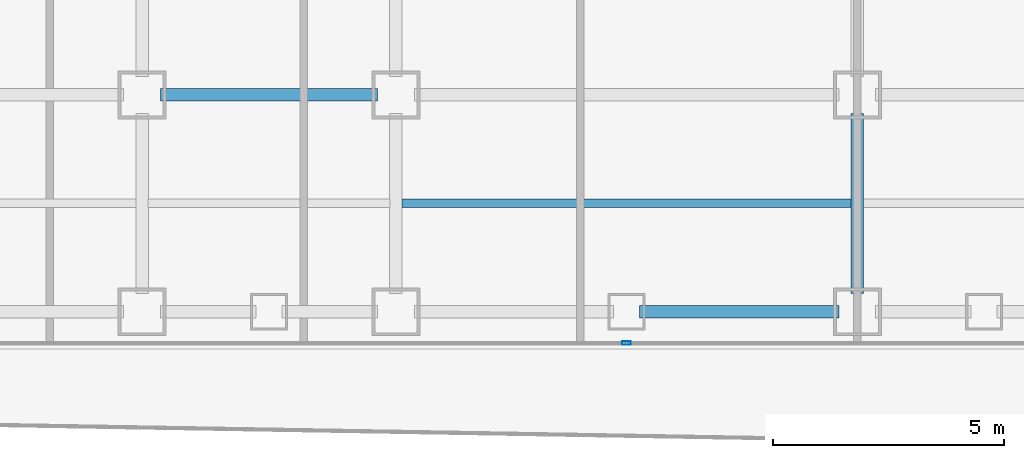
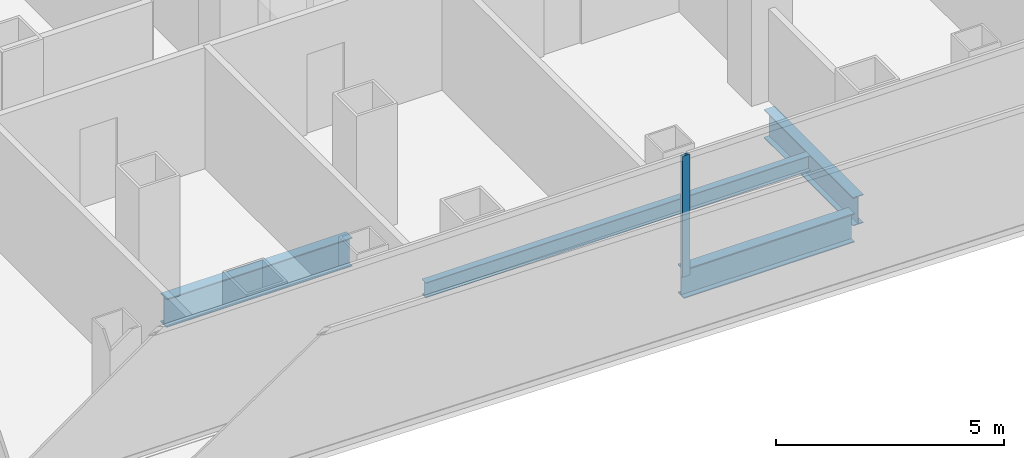
# One storey, part 4 of 22: 4 beams, 1 member, 1 element without a shape of its own.
"""IFC4 building model written with IfcOpenShell, lengths in metres."""

from ifc_helpers import new_model, si_unit, direction, frame, origin, origin_2d, place, context, subcontext, project, spatial, hollow_rectangle, i_section, extrude, source, transform, mapped, material, layer, layer_set, material_profile, profile_set, type_object, element, aggregate, save


model = new_model("IFC4")

# Units and contexts
model_context = context("Model", 3, precision=1e-05, world=origin(), true_north=direction((0.0, 1.0)))
body_context = subcontext(model_context, "Body", "Model", "MODEL_VIEW")
ifc_project = project(units=[si_unit("LENGTHUNIT", "METRE"), si_unit("AREAUNIT", "SQUARE_METRE"), si_unit("VOLUMEUNIT", "CUBIC_METRE"), si_unit("PLANEANGLEUNIT", "RADIAN"), si_unit("MASSUNIT", "GRAM", prefix="KILO")], contexts=[model_context])

# Site, building, storey
site_placement = place(None, origin())
site = spatial("IfcSite", under=ifc_project, at=site_placement, CompositionType="ELEMENT")
building_placement = place(site_placement, origin())
building = spatial("IfcBuilding", under=site, at=building_placement, Name="Kolveth Station Tower", CompositionType="ELEMENT")
storey_placement = place(building_placement, frame((0.0, 0.0, 72.89990234375)))
storey = spatial("IfcBuildingStorey", under=building, at=storey_placement, Name="L19", CompositionType="ELEMENT", Elevation=72.89990234375)

# Beams
ifc_material_1 = material(Name="Steel S355", Category="steel")
ifc_material_profile_1 = material_profile(ifc_material_1, i_section(OverallWidth=0.26904296875, OverallDepth=0.77490234375, WebThickness=0.01708984375, FlangeThickness=0.0283203125, at=origin_2d()), Name="W760x220")
ifc_profile_set_1 = profile_set([ifc_material_profile_1], Name="Steel S355")
beam_type_1 = type_object("IfcBeamType", Name="Beam_SP1", PredefinedType="SPANDREL", material=ifc_profile_set_1)
shared_shape_1 = source(origin(), body_context, "Body", "SweptSolid", [
    extrude(i_section(OverallWidth=0.26904296875, OverallDepth=0.77490234375, WebThickness=0.01708984375, FlangeThickness=0.0283203125, at=origin_2d()), origin(), (0.0, 0.0, 1.0), 4.320068359375),
])
beam_1_placement = place(storey_placement, frame((23.780029296875, 0.800048828125, -0.66748046875), z_axis=(1.0, 0.0, 0.0), x_axis=(0.0, 1.0, 0.0)))
element("IfcBeam", 1, at=beam_1_placement, inside=storey, type_object=beam_type_1, Name="L19 Perimeter Spandrel BM-L19-PS-6", PredefinedType="SPANDREL", context=body_context, shape_type="MappedRepresentation", body=[
    mapped(shared_shape_1, transform((0.0, 0.0, 0.0), x_axis=(1.0, 0.0, 0.0), y_axis=(0.0, 1.0, 0.0), z_axis=(0.0, 0.0, 1.0), scale=1.0)),
])
ifc_material_profile_2 = material_profile(ifc_material_1, i_section(OverallWidth=0.26708984375, OverallDepth=0.76611328125, WebThickness=0.014892578125, FlangeThickness=0.023681640625, at=origin_2d()), Name="W760x185")
ifc_profile_set_2 = profile_set([ifc_material_profile_2], Name="Steel S355")
beam_type_2 = type_object("IfcBeamType", Name="Beam_B3", PredefinedType="BEAM", material=ifc_profile_set_2)
shared_shape_2 = source(origin(), body_context, "Body", "SweptSolid", [
    extrude(i_section(OverallWidth=0.26708984375, OverallDepth=0.76611328125, WebThickness=0.014892578125, FlangeThickness=0.023681640625, at=origin_2d()), origin(), (0.0, 0.0, 1.0), 4.7001953125),
])
beam_2_placement = place(storey_placement, frame((13.39990234375, 5.5, -0.662841796875), z_axis=(1.0, 0.0, 0.0), x_axis=(0.0, 1.0, 0.0)))
element("IfcBeam", 2, at=beam_2_placement, inside=storey, type_object=beam_type_2, Name="L19 Primary Girder BM-L19-GY55-3", PredefinedType="BEAM", context=body_context, shape_type="MappedRepresentation", body=[
    mapped(shared_shape_2, transform((0.0, 0.0, 0.0), x_axis=(1.0, 0.0, 0.0), y_axis=(0.0, 1.0, 0.0), z_axis=(0.0, 0.0, 1.0), scale=1.0)),
])
shared_shape_3 = source(origin(), body_context, "Body", "SweptSolid", [
    extrude(i_section(OverallWidth=0.26708984375, OverallDepth=0.76611328125, WebThickness=0.014892578125, FlangeThickness=0.023681640625, at=origin_2d()), origin(), (0.0, 0.0, 1.0), 3.900146484375),
])
beam_3_placement = place(storey_placement, frame((28.5, 1.199951171875, -0.662841796875), z_axis=(0.0, 1.0, 0.0), x_axis=(-1.0, 0.0, 0.0)))
element("IfcBeam", 3, at=beam_3_placement, inside=storey, type_object=beam_type_2, Name="L19 Primary Girder BM-L19-GX285-1", PredefinedType="BEAM", context=body_context, shape_type="MappedRepresentation", body=[
    mapped(shared_shape_3, transform((0.0, 0.0, 0.0), x_axis=(1.0, 0.0, 0.0), y_axis=(0.0, 1.0, 0.0), z_axis=(0.0, 0.0, 1.0), scale=1.0)),
])
ifc_material_profile_3 = material_profile(ifc_material_1, i_section(OverallWidth=0.177978515625, OverallDepth=0.406982421875, WebThickness=0.0078125, FlangeThickness=0.0126953125, at=origin_2d()), Name="W410x60")
ifc_profile_set_3 = profile_set([ifc_material_profile_3], Name="Steel S355")
beam_type_3 = type_object("IfcBeamType", Name="Beam_J1", PredefinedType="JOIST", material=ifc_profile_set_3)
shared_shape_4 = source(origin(), body_context, "Body", "SweptSolid", [
    extrude(i_section(OverallWidth=0.177978515625, OverallDepth=0.406982421875, WebThickness=0.0078125, FlangeThickness=0.0126953125, at=origin_2d()), origin(), (0.0, 0.0, 1.0), 9.73681640625),
])
beam_4_placement = place(storey_placement, frame((18.631591796875, 3.14990234375, -0.4833984375), z_axis=(1.0, 0.0, 0.0), x_axis=(0.0, 1.0, 0.0)))
element("IfcBeam", 4, at=beam_4_placement, inside=storey, type_object=beam_type_3, Name="L19 Secondary Joist JST-L19-4-1", PredefinedType="JOIST", context=body_context, shape_type="MappedRepresentation", body=[
    mapped(shared_shape_4, transform((0.0, 0.0, 0.0), x_axis=(1.0, 0.0, 0.0), y_axis=(0.0, 1.0, 0.0), z_axis=(0.0, 0.0, 1.0), scale=1.0)),
])

# Curtain wall, member
ifc_material_2 = material(Name="Aluminium 6063-T6 and low-E dark glass", Category="aluminium")
ifc_layer = layer(ifc_material_2, 0.179931640625)
ifc_layer_set = layer_set([ifc_layer], Name="Aluminium 6063-T6 and low-E dark glass")
curtain_wall_type = type_object("IfcCurtainWallType", Name="CurtainWall_CW-Z1", PredefinedType="NOTDEFINED", material=ifc_layer_set)
curtain_wall_placement = place(storey_placement, origin())
curtain_wall = element("IfcCurtainWall", 5, at=curtain_wall_placement, inside=storey, type_object=curtain_wall_type, Name="L19 Inner Thermal Curtain Wall 12", PredefinedType="NOTDEFINED")
ifc_material_3 = material(Name="Black anodized aluminium 6063-T6", Category="aluminium")
ifc_material_profile_4 = material_profile(ifc_material_3, hollow_rectangle(XDim=0.074951171875, YDim=0.18994140625, WallThickness=0.0048828125, at=origin_2d()), Name="ALU-75x190x5")
ifc_profile_set_4 = profile_set([ifc_material_profile_4], Name="Black anodized aluminium 6063-T6")
member_type = type_object("IfcMemberType", Name="Mullion_ML1", PredefinedType="MULLION", material=ifc_profile_set_4)
shared_shape_5 = source(origin(), body_context, "Body", "SweptSolid", [
    extrude(hollow_rectangle(XDim=0.074951171875, YDim=0.18994140625, WallThickness=0.0048828125, at=origin_2d()), origin(), (0.0, 0.0, 1.0), 3.239990234375),
])
member_placement = place(storey_placement, frame((23.5, 0.1201171875, 0.0), z_axis=(0.0, 0.0, 1.0), x_axis=(0.0, 1.0, 0.0)))
member = element("IfcMember", 6, at=member_placement, type_object=member_type, Name="CW-Z1 mullion 2", PredefinedType="MULLION", context=body_context, shape_type="MappedRepresentation", body=[
    mapped(shared_shape_5, transform((0.0, 0.0, 0.0), x_axis=(1.0, 0.0, 0.0), y_axis=(0.0, 1.0, 0.0), z_axis=(0.0, 0.0, 1.0), scale=1.0)),
])
aggregate(curtain_wall, [member])

save(model, "model.ifc")
